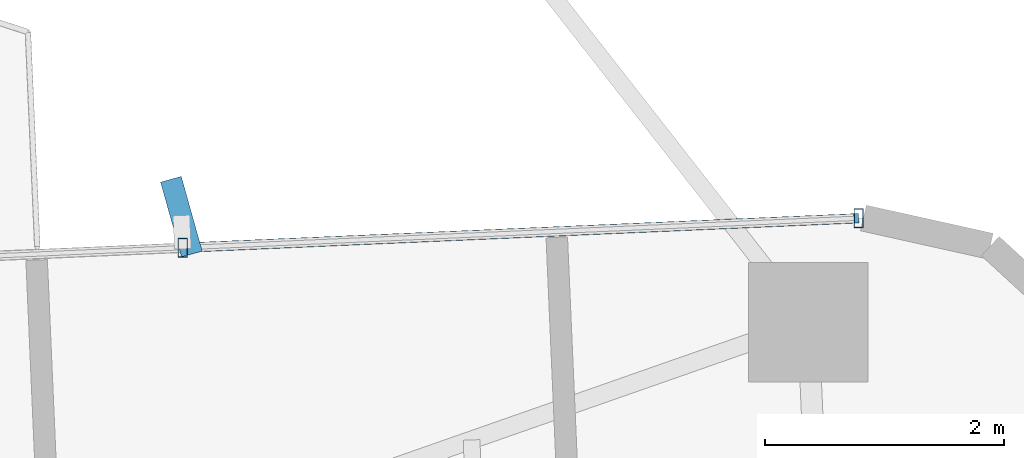
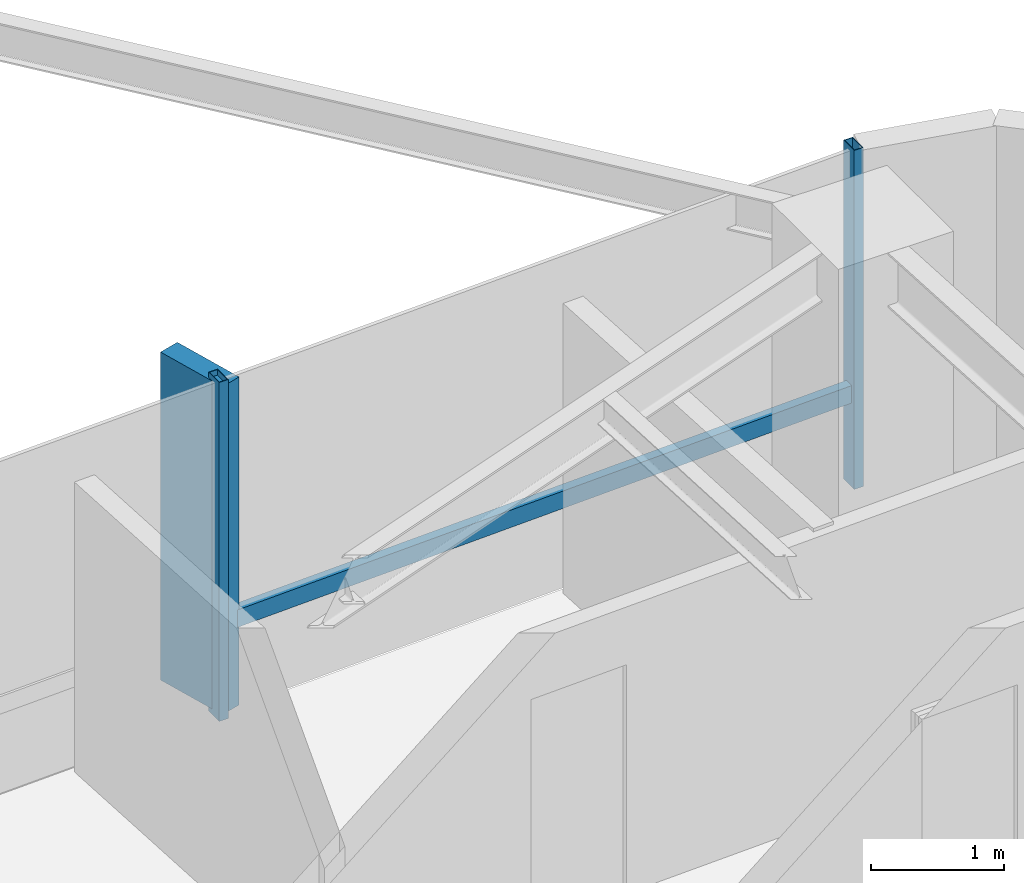
# One storey, part 20 of 26: 4 members, 1 element without a shape of its own.
"""IFC4 building model written with IfcOpenShell, lengths in metres."""

from ifc_helpers import new_model, si_unit, direction, frame, origin, origin_2d, place, context, subcontext, project, spatial, rectangle, hollow_rectangle, extrude, source, transform, mapped, material, material_profile, profile_set, type_object, element, aggregate, save


model = new_model("IFC4")

# Units and contexts
model_context = context("Model", 3, precision=1e-05, world=origin(), true_north=direction((0.0, 1.0)))
body_context = subcontext(model_context, "Body", "Model", "MODEL_VIEW")
ifc_project = project(units=[si_unit("LENGTHUNIT", "METRE"), si_unit("AREAUNIT", "SQUARE_METRE"), si_unit("VOLUMEUNIT", "CUBIC_METRE"), si_unit("PLANEANGLEUNIT", "RADIAN"), si_unit("MASSUNIT", "GRAM", prefix="KILO")], contexts=[model_context])

# Site, building, storey
site_placement = place(None, origin())
site = spatial("IfcSite", under=ifc_project, at=site_placement, CompositionType="ELEMENT")
building_placement = place(site_placement, origin())
building = spatial("IfcBuilding", under=site, at=building_placement, Name="Sahyath Konkavel Grand Hotel", CompositionType="ELEMENT")
storey_placement = place(building_placement, frame((0.0, 0.0, 83.5)))
storey = spatial("IfcBuildingStorey", under=building, at=storey_placement, Name="L22", CompositionType="ELEMENT", Elevation=83.5)

# Curtain wall, members
ifc_material_1 = material(Name="Anodised Bronze Aluminium & Low-E Glazing", Category="aluminium")
curtain_wall_type = type_object("IfcCurtainWallType", Name="CW-ZONE2", PredefinedType="NOTDEFINED", material=ifc_material_1)
curtain_wall_placement = place(storey_placement, origin())
curtain_wall = element("IfcCurtainWall", 1, at=curtain_wall_placement, inside=storey, type_object=curtain_wall_type, Name="L22 Unitised Curtain Wall F7", PredefinedType="NOTDEFINED")
ifc_material_2 = material(Name="Warm Buff Sandstone Cladding on Concrete C50/60", Category="masonry")
ifc_material_profile_1 = material_profile(ifc_material_2, rectangle(XDim=0.179931640625, YDim=0.64990234375, at=origin_2d()), Name="FIN 180x650")
ifc_profile_set_1 = profile_set([ifc_material_profile_1], Name="Warm Buff Sandstone Cladding on Concrete C50/60")
member_type_1 = type_object("IfcMemberType", Name="FIN-SANDSTONE-650", PredefinedType="MULLION", material=ifc_profile_set_1)
shared_shape_1 = source(origin(), body_context, "Body", "SweptSolid", [
    extrude(rectangle(XDim=0.179931640625, YDim=0.64990234375, at=origin_2d()), origin(), (0.0, 0.0, 1.0), 3.010009765625),
])
member_1_placement = place(storey_placement, frame((11.989013671875, 7.39013671875, 0.050048828125), z_axis=(0.0, 0.0, 1.0), x_axis=(0.962974590644, 0.269592169347, 0.0)))
member_1 = element("IfcMember", 2, at=member_1_placement, type_object=member_type_1, Name="L22 Sandstone Vertical Solar Fin FIN F7-1", PredefinedType="MULLION", context=body_context, shape_type="MappedRepresentation", body=[
    mapped(shared_shape_1, transform((0.0, 0.0, 0.0), scale=1.0)),
])
ifc_material_3 = material(Name="Anodised Bronze Aluminium", Category="aluminium")
ifc_material_profile_2 = material_profile(ifc_material_3, hollow_rectangle(XDim=0.080078125, YDim=0.159912109375, WallThickness=0.006103515625, at=origin_2d()), Name="RHS 160x80x6")
ifc_profile_set_2 = profile_set([ifc_material_profile_2], Name="Anodised Bronze Aluminium")
member_type_2 = type_object("IfcMemberType", Name="CW-MUL-160", PredefinedType="MULLION", material=ifc_profile_set_2)
shared_shape_2 = source(origin(), body_context, "Body", "SweptSolid", [
    extrude(hollow_rectangle(XDim=0.080078125, YDim=0.159912109375, WallThickness=0.006103515625, at=origin_2d()), origin(), (0.0, 0.0, 1.0), 3.110107421875),
])
member_2_placement = place(storey_placement, frame((17.655029296875, 7.377197265625, 0.0), z_axis=(0.0, 0.0, 1.0), x_axis=(1.0, 0.0, 0.0)))
member_2 = element("IfcMember", 3, at=member_2_placement, type_object=member_type_2, Name="L22 Curtain Wall Mullion F7-0", PredefinedType="MULLION", context=body_context, shape_type="MappedRepresentation", body=[
    mapped(shared_shape_2, transform((0.0, 0.0, 0.0), scale=1.0)),
])
member_3_placement = place(storey_placement, frame((12.00048828125, 7.13037109375, 0.0), z_axis=(0.0, 0.0, 1.0), x_axis=(1.0, 0.0, 0.0)))
member_3 = element("IfcMember", 4, at=member_3_placement, type_object=member_type_2, Name="L22 Curtain Wall Mullion F7-1", PredefinedType="MULLION", context=body_context, shape_type="MappedRepresentation", body=[
    mapped(shared_shape_2, transform((0.0, 0.0, 0.0), scale=1.0)),
])
ifc_material_profile_3 = material_profile(ifc_material_3, hollow_rectangle(XDim=0.080078125, YDim=0.159912109375, WallThickness=0.006103515625, at=origin_2d()), Name="RHS 160x80x6")
ifc_profile_set_3 = profile_set([ifc_material_profile_3], Name="Anodised Bronze Aluminium")
member_type_3 = type_object("IfcMemberType", Name="CW-TRN-160", PredefinedType="USERDEFINED", material=ifc_profile_set_3)
shared_shape_3 = source(origin(), body_context, "Body", "SweptSolid", [
    extrude(hollow_rectangle(XDim=0.080078125, YDim=0.159912109375, WallThickness=0.006103515625, at=origin_2d()), origin(), (0.0, 0.0, 1.0), 5.659912109375),
])
member_4_placement = place(storey_placement, frame((17.655029296875, 7.377197265625, 0.85009765625), z_axis=(-0.999048655935, -0.043609437898, 0.0), x_axis=(0.043609437898, -0.999048655935, 0.0)))
member_4 = element("IfcMember", 5, at=member_4_placement, type_object=member_type_3, Name="L22 Curtain Wall Transom F7-0-spandrel", ObjectType="TRANSOM", PredefinedType="USERDEFINED", context=body_context, shape_type="MappedRepresentation", body=[
    mapped(shared_shape_3, transform((0.0, 0.0, 0.0), scale=1.0)),
])
aggregate(curtain_wall, [member_2, member_3, member_1, member_4])

save(model, "model.ifc")
